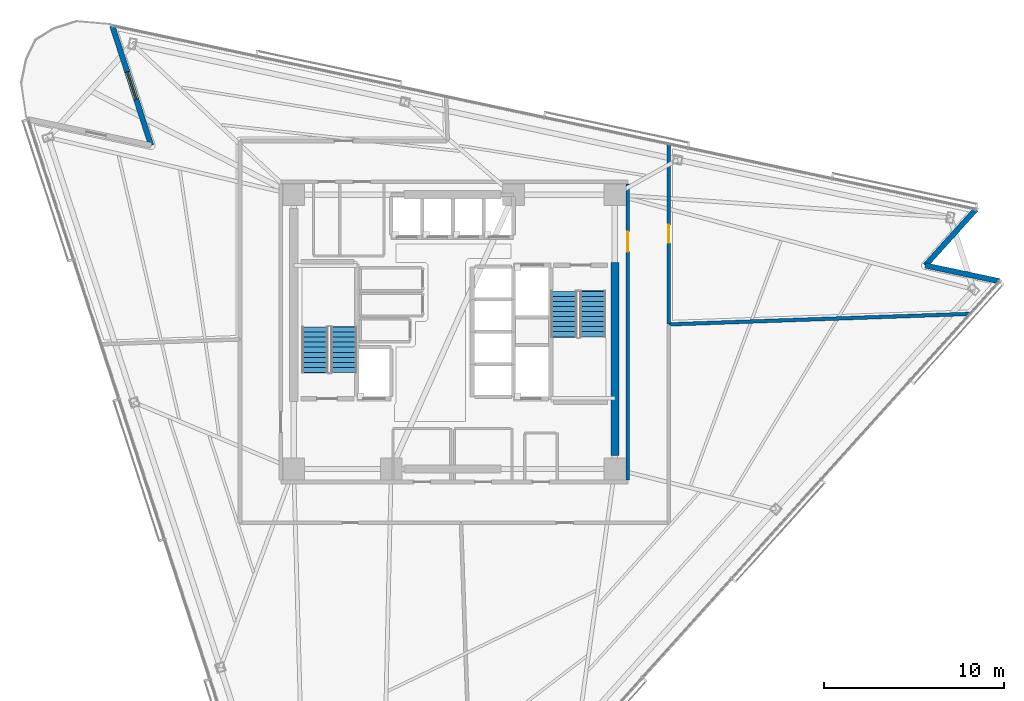
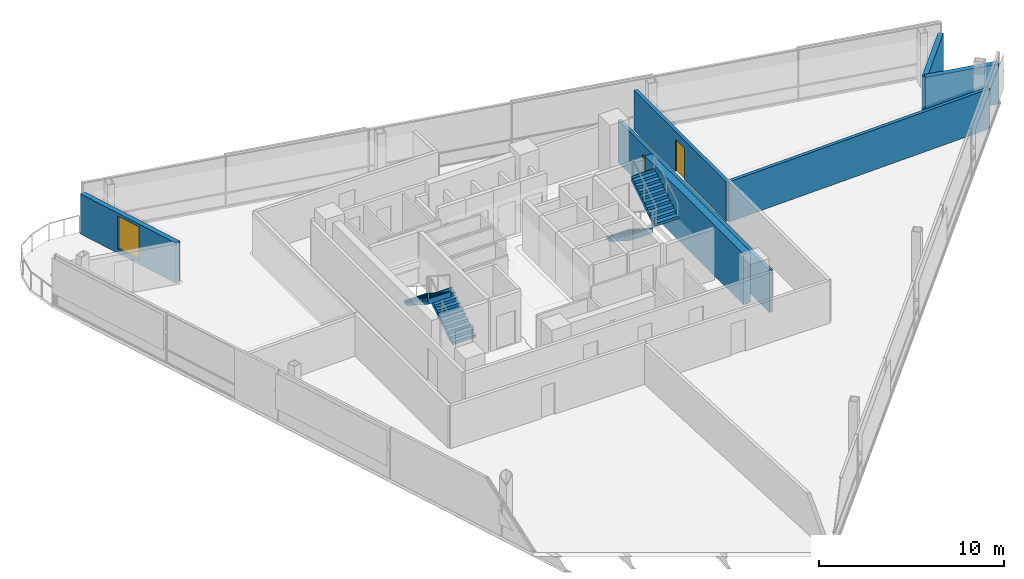
# One storey, part 12 of 17: 7 walls, 4 stair flights, 2 doors, 1 window, 3 openings, 2 elements without a shape of their own.
"""IFC4 building model written with IfcOpenShell, lengths in metres."""

from ifc_helpers import new_model, si_unit, direction, frame, frame_2d, origin, place, context, subcontext, project, spatial, polyline, rectangle, outline, extrude, material, layer, layer_set, type_object, element, fill, aggregate, save


model = new_model("IFC4")

# Units and contexts
model_context = context("Model", 3, precision=1e-05, world=origin(), true_north=direction((0.0, 1.0)))
body_context = subcontext(model_context, "Body", "Model", "MODEL_VIEW")
ifc_project = project(units=[si_unit("LENGTHUNIT", "METRE"), si_unit("AREAUNIT", "SQUARE_METRE"), si_unit("VOLUMEUNIT", "CUBIC_METRE"), si_unit("PLANEANGLEUNIT", "RADIAN"), si_unit("MASSUNIT", "GRAM", prefix="KILO")], contexts=[model_context])

# Site, building, storey
site_placement = place(None, origin())
site = spatial("IfcSite", under=ifc_project, at=site_placement, CompositionType="ELEMENT")
building_placement = place(site_placement, origin())
building = spatial("IfcBuilding", under=site, at=building_placement, Name="Tharavind Bronze Gate", CompositionType="ELEMENT")
storey_placement = place(building_placement, frame((0.0, 0.0, 218.449951171875)))
storey = spatial("IfcBuildingStorey", under=building, at=storey_placement, Name="L56", CompositionType="ELEMENT", Elevation=218.449951171875)

# Wall, opening, window
ifc_material_1 = material(Name="Concrete C40/50", Category="concrete")
ifc_layer_1 = layer(ifc_material_1, 0.300048828125)
ifc_layer_set_1 = layer_set([ifc_layer_1], Name="Concrete C40/50")
wall_type_1 = type_object("IfcWallType", Name="EXTERIOR SPANDREL WALL 300", PredefinedType="STANDARD", material=ifc_layer_set_1)
wall_1_placement = place(storey_placement, frame((-18.959716796875, 16.967529296875, 0.0), z_axis=(0.0, 0.0, 1.0), x_axis=(0.309030708092, -0.951052060329, 0.0)))
wall_1 = element("IfcWall", 1, at=wall_1_placement, inside=storey, type_object=wall_type_1, Name="L56 notch cheek wall 1A", PredefinedType="STANDARD", context=body_context, shape_type="SweptSolid", body=[
    extrude(rectangle(XDim=6.979736328125, YDim=0.300048828125, at=frame_2d((3.48974609375, 0.0))), origin(), (0.0, 0.0, 1.0), 2.655029296875),
])
opening_1_placement = place(wall_1_placement, frame((2.68994140625, 0.0, 0.27490234375)))
opening_1 = element("IfcOpeningElement", 2, at=opening_1_placement, cuts=wall_1, Name="Opening W05", PredefinedType="OPENING", context=body_context, shape_type="SweptSolid", body=[
    extrude(rectangle(XDim=1.60009765625, YDim=2.199951171875, at=frame_2d((0.800048828125, 1.10009765625))), frame((0.0, 0.15990234375, 0.0), z_axis=(0.0, -1.0, 0.0), x_axis=(1.0, 0.0, 0.0)), (0.0, 0.0, 1.0), 0.320048828125),
])
ifc_material_2 = material(Name="Bronze Aluminium & Low-E Glass", Category="aluminium")
window_type = type_object("IfcWindowType", Name="OFFICE NOTCH BRONZE WINDOW 1600X2200", PartitioningType="DOUBLE_PANEL_VERTICAL", PredefinedType="WINDOW", material=ifc_material_2)
window_placement = place(opening_1_placement, origin())
window = element("IfcWindow", 3, at=window_placement, inside=storey, type_object=window_type, Name="L56 exterior window WL-L56-NCA1-01", OverallHeight=2.199951171875, OverallWidth=1.60009765625, PartitioningType="SINGLE_PANEL", PredefinedType="WINDOW", context=body_context, shape_type="SweptSolid", body=[
    extrude(rectangle(XDim=1.60009765625, YDim=2.199951171875, at=frame_2d((0.800048828125, 1.10009765625))), frame((0.0, 0.030029296875, 0.0), z_axis=(0.0, -1.0, 0.0), x_axis=(1.0, 0.0, 0.0)), (0.0, 0.0, 1.0), 0.06005859375),
])
fill(opening_1, window)

# Walls
for number, where, z_axis, x_axis, name in (
    (4, (30.199462890625, 2.810546875, 0.0), (0.0, 0.0, 1.0), (-0.978144033538, 0.207928472445, 0.0), "L56 notch cheek wall 3A"),
    (5, (26.102783203125, 3.681396484375, 0.0), (0.0, 0.0, 1.0), (0.669151507466, 0.743126005504, 0.0), "L56 notch cheek wall 3B"),
):
    element("IfcWall", number, at=place(storey_placement, frame(where, z_axis=z_axis, x_axis=x_axis)), inside=storey, type_object=wall_type_1, Name=name, PredefinedType="STANDARD", context=body_context, shape_type="SweptSolid", body=[
        extrude(rectangle(XDim=4.188232421875, YDim=0.300048828125, at=frame_2d((2.09423828125, 0.0))), origin(), (0.0, 0.0, 1.0), 2.655029296875),
    ])

# Wall, opening, door
ifc_material_3 = material(Name="Aerated Concrete Block", Category="concrete")
ifc_layer_2 = layer(ifc_material_3, 0.199951171875)
ifc_layer_set_2 = layer_set([ifc_layer_2], Name="Aerated Concrete Block")
wall_type_2 = type_object("IfcWallType", Name="FIRE RATED PARTITION 200", PredefinedType="PARTITIONING", material=ifc_layer_set_2)
wall_2_placement = place(storey_placement, frame((9.6201171875, -8.199951171875, 0.0), z_axis=(0.0, 0.0, 1.0), x_axis=(0.0, 1.0, 0.0)))
wall_2 = element("IfcWall", 6, at=wall_2_placement, inside=storey, type_object=wall_type_2, Name="L56 east core corridor wall", PredefinedType="PARTITIONING", context=body_context, shape_type="SweptSolid", body=[
    extrude(rectangle(XDim=16.39990234375, YDim=0.199951171875, at=frame_2d((8.199951171875, 0.0))), origin(), (0.0, 0.0, 1.0), 2.804931640625),
])
opening_2_placement = place(wall_2_placement, frame((12.64990234375, 0.0, 0.0)))
opening_2 = element("IfcOpeningElement", 7, at=opening_2_placement, cuts=wall_2, Name="Opening ID01", PredefinedType="OPENING", context=body_context, shape_type="SweptSolid", body=[
    extrude(rectangle(XDim=1.10009765625, YDim=2.14990234375, at=frame_2d((0.550048828125, 1.074951171875))), frame((0.0, 0.11009765625, 0.0), z_axis=(0.0, -1.0, 0.0), x_axis=(1.0, 0.0, 0.0)), (0.0, 0.0, 1.0), 0.219951171875),
])
ifc_material_4 = material(Name="Fire-Rated Steel", Category="steel")
door_type_1 = type_object("IfcDoorType", Name="STAIR CORE FIRE DOOR 1100X2150", OperationType="SINGLE_SWING_LEFT", PredefinedType="DOOR", material=ifc_material_4)
door_1_placement = place(opening_2_placement, frame((1.10009765625, 0.0, 0.0), z_axis=(0.0, 0.0, 1.0), x_axis=(-1.0, 0.0, 0.0)))
door_1 = element("IfcDoor", 8, at=door_1_placement, inside=storey, type_object=door_type_1, Name="L56 north east stair lobby fire door", OperationType="SINGLE_SWING_LEFT", OverallHeight=2.14990234375, OverallWidth=1.10009765625, PredefinedType="DOOR", context=body_context, shape_type="SweptSolid", body=[
    extrude(rectangle(XDim=1.10009765625, YDim=2.14990234375, at=frame_2d((0.550048828125, 1.074951171875))), frame((0.0, 0.02490234375, 0.0), z_axis=(0.0, -1.0, 0.0), x_axis=(1.0, 0.0, 0.0)), (0.0, 0.0, 1.0), 0.050048828125),
])
fill(opening_2, door_1)

# Wall
wall_3_placement = place(storey_placement, frame((28.556396484375, 0.997314453125, 0.0), z_axis=(0.0, 0.0, 1.0), x_axis=(-0.999390620762, -0.03490540262, 0.0)))
element("IfcWall", 9, at=wall_3_placement, inside=storey, type_object=wall_type_2, Name="L56 Broadcast Editorial Studio partition", PredefinedType="PARTITIONING", context=body_context, shape_type="SweptSolid", body=[
    extrude(rectangle(XDim=16.66064453125, YDim=0.199951171875, at=frame_2d((8.330322265625, 0.0))), origin(), (0.0, 0.0, 1.0), 2.655029296875),
])

# Wall, opening, door
wall_4_placement = place(storey_placement, frame((11.8798828125, 0.440673828125, 0.0), z_axis=(0.0, 0.0, 1.0), x_axis=(0.0, 1.0, 0.0)))
wall_4 = element("IfcWall", 10, at=wall_4_placement, inside=storey, type_object=wall_type_2, Name="L56 Broadcast Editorial Studio partition", PredefinedType="PARTITIONING", context=body_context, shape_type="SweptSolid", body=[
    extrude(rectangle(XDim=9.9716796875, YDim=0.199951171875, at=frame_2d((4.98583984375, 0.0))), origin(), (0.0, 0.0, 1.0), 2.655029296875),
])
opening_3_placement = place(wall_4_placement, frame((4.486083984375, 0.0, 0.0)))
opening_3 = element("IfcOpeningElement", 11, at=opening_3_placement, cuts=wall_4, Name="Opening ID04", PredefinedType="OPENING", context=body_context, shape_type="SweptSolid", body=[
    extrude(rectangle(XDim=1.0, YDim=2.14990234375, at=frame_2d((0.5, 1.074951171875))), frame((0.0, 0.11009765625, 0.0), z_axis=(0.0, -1.0, 0.0), x_axis=(1.0, 0.0, 0.0)), (0.0, 0.0, 1.0), 0.219951171875),
])
ifc_material_5 = material(Name="Bronze Framed Acoustic Timber", Category="wood")
door_type_2 = type_object("IfcDoorType", Name="OFFICE TENANCY DOOR 1000X2150", OperationType="SINGLE_SWING_RIGHT", PredefinedType="DOOR", material=ifc_material_5)
door_2_placement = place(opening_3_placement, origin())
door_2 = element("IfcDoor", 12, at=door_2_placement, inside=storey, type_object=door_type_2, Name="L56 Broadcast Editorial Studio door", OperationType="SINGLE_SWING_RIGHT", OverallHeight=2.14990234375, OverallWidth=1.0, PredefinedType="DOOR", context=body_context, shape_type="SweptSolid", body=[
    extrude(rectangle(XDim=1.0, YDim=2.14990234375, at=frame_2d((0.5, 1.074951171875))), frame((0.0, 0.02490234375, 0.0), z_axis=(0.0, -1.0, 0.0), x_axis=(1.0, 0.0, 0.0)), (0.0, 0.0, 1.0), 0.050048828125),
])
fill(opening_3, door_2)

# Wall
ifc_material_6 = material(Name="Concrete C60/75", Category="concrete")
ifc_layer_3 = layer(ifc_material_6, 0.449951171875)
ifc_layer_set_3 = layer_set([ifc_layer_3], Name="Concrete C60/75")
wall_type_3 = type_object("IfcWallType", Name="RC CORE SHEAR WALL 450", PredefinedType="SHEAR", material=ifc_layer_set_3)
wall_5_placement = place(storey_placement, frame((8.89990234375, -6.85009765625, 0.0), z_axis=(0.0, 0.0, 1.0), x_axis=(0.0, 1.0, 0.0)))
element("IfcWall", 13, at=wall_5_placement, inside=storey, type_object=wall_type_3, Name="L56 east core shear wall", PredefinedType="SHEAR", context=body_context, shape_type="SweptSolid", body=[
    extrude(rectangle(XDim=10.7001953125, YDim=0.449951171875, at=frame_2d((5.35009765625, 0.0))), origin(), (0.0, 0.0, 1.0), 3.360107421875),
])

# Stair, stair flights
stair_type = type_object("IfcStairType", Name="CORE HALF TURN STAIR 1450", PredefinedType="HALF_TURN_STAIR", material=ifc_material_1)
stair_1_placement = place(storey_placement, origin())
stair_1 = element("IfcStair", 14, at=stair_1_placement, inside=storey, type_object=stair_type, Name="L56 Protected Exit Stair ST1", PredefinedType="HALF_TURN_STAIR")
stair_flight_type = type_object("IfcStairFlightType", Name="CORE STAIR FLIGHT 1450", PredefinedType="STRAIGHT", material=ifc_material_1)
stair_flight_1_placement = place(storey_placement, frame((-6.125, -2.25, 0.0), z_axis=(0.0, 0.0, 1.0), x_axis=(0.0, 1.0, 0.0)))
stair_flight_1 = element("IfcStairFlight", 15, at=stair_flight_1_placement, type_object=stair_flight_type, Name="ST1 flight 1", NumberOfRisers=10, NumberOfTreads=9, PredefinedType="STRAIGHT", RiserHeight=0.18, TreadLength=0.28, context=body_context, shape_type="SweptSolid", body=[
    extrude(outline(polyline([(0.0, 0.0), (0.0, 0.179931640625), (0.280029296875, 0.179931640625), (0.280029296875, 0.360107421875), (0.56005859375, 0.360107421875), (0.56005859375, 0.5400390625), (0.840087890625, 0.5400390625), (0.840087890625, 0.719970703125), (1.1201171875, 0.719970703125), (1.1201171875, 0.89990234375), (1.39990234375, 0.89990234375), (1.39990234375, 1.080078125), (1.679931640625, 1.080078125), (1.679931640625, 1.260009765625), (1.9599609375, 1.260009765625), (1.9599609375, 1.43994140625), (2.239990234375, 1.43994140625), (2.239990234375, 1.6201171875), (2.52001953125, 1.6201171875), (2.52001953125, 1.800048828125), (2.555908203125, 1.800048828125), (2.555908203125, 1.44189453125), (0.277099609375, 0.0), (0.0, 0.0)])), frame((0.0, 0.72509765625, 0.0), z_axis=(0.0, -1.0, 0.0), x_axis=(1.0, 0.0, 0.0)), (0.0, 0.0, 1.0), 1.449951171875),
])
stair_flight_2_placement = place(storey_placement, frame((-7.72509765625, 0.27001953125, 1.800048828125), z_axis=(0.0, 0.0, 1.0), x_axis=(0.0, -1.0, 0.0)))
stair_flight_2 = element("IfcStairFlight", 16, at=stair_flight_2_placement, type_object=stair_flight_type, Name="ST1 flight 2", NumberOfRisers=10, NumberOfTreads=9, PredefinedType="STRAIGHT", RiserHeight=0.18, TreadLength=0.28, context=body_context, shape_type="SweptSolid", body=[
    extrude(outline(polyline([(0.0, 0.0), (0.0, 0.179931640625), (0.280029296875, 0.179931640625), (0.280029296875, 0.360107421875), (0.56005859375, 0.360107421875), (0.56005859375, 0.5400390625), (0.840087890625, 0.5400390625), (0.840087890625, 0.719970703125), (1.1201171875, 0.719970703125), (1.1201171875, 0.89990234375), (1.39990234375, 0.89990234375), (1.39990234375, 1.080078125), (1.679931640625, 1.080078125), (1.679931640625, 1.260009765625), (1.9599609375, 1.260009765625), (1.9599609375, 1.43994140625), (2.239990234375, 1.43994140625), (2.239990234375, 1.6201171875), (2.52001953125, 1.6201171875), (2.52001953125, 1.800048828125), (2.555908203125, 1.800048828125), (2.555908203125, 1.44189453125), (0.277099609375, 0.0), (0.0, 0.0)])), frame((0.0, 0.72509765625, 0.0), z_axis=(0.0, -1.0, 0.0), x_axis=(1.0, 0.0, 0.0)), (0.0, 0.0, 1.0), 1.449951171875),
])
aggregate(stair_1, [stair_flight_1, stair_flight_2])

stair_2_placement = place(storey_placement, origin())
stair_2 = element("IfcStair", 17, at=stair_2_placement, inside=storey, type_object=stair_type, Name="L56 Protected Exit Stair ST2", PredefinedType="HALF_TURN_STAIR")
stair_flight_3_placement = place(storey_placement, frame((6.074951171875, 2.25, 0.0), z_axis=(0.0, 0.0, 1.0), x_axis=(0.0, -1.0, 0.0)))
stair_flight_3 = element("IfcStairFlight", 18, at=stair_flight_3_placement, type_object=stair_flight_type, Name="ST2 flight 1", NumberOfRisers=10, NumberOfTreads=9, PredefinedType="STRAIGHT", RiserHeight=0.18, TreadLength=0.28, context=body_context, shape_type="SweptSolid", body=[
    extrude(outline(polyline([(0.0, 0.0), (0.0, 0.179931640625), (0.280029296875, 0.179931640625), (0.280029296875, 0.360107421875), (0.56005859375, 0.360107421875), (0.56005859375, 0.5400390625), (0.840087890625, 0.5400390625), (0.840087890625, 0.719970703125), (1.1201171875, 0.719970703125), (1.1201171875, 0.89990234375), (1.39990234375, 0.89990234375), (1.39990234375, 1.080078125), (1.679931640625, 1.080078125), (1.679931640625, 1.260009765625), (1.9599609375, 1.260009765625), (1.9599609375, 1.43994140625), (2.239990234375, 1.43994140625), (2.239990234375, 1.6201171875), (2.52001953125, 1.6201171875), (2.52001953125, 1.800048828125), (2.555908203125, 1.800048828125), (2.555908203125, 1.44189453125), (0.277099609375, 0.0), (0.0, 0.0)])), frame((0.0, 0.72509765625, 0.0), z_axis=(0.0, -1.0, 0.0), x_axis=(1.0, 0.0, 0.0)), (0.0, 0.0, 1.0), 1.449951171875),
])
stair_flight_4_placement = place(storey_placement, frame((7.675048828125, -0.27001953125, 1.800048828125), z_axis=(0.0, 0.0, 1.0), x_axis=(0.0, 1.0, 0.0)))
stair_flight_4 = element("IfcStairFlight", 19, at=stair_flight_4_placement, type_object=stair_flight_type, Name="ST2 flight 2", NumberOfRisers=10, NumberOfTreads=9, PredefinedType="STRAIGHT", RiserHeight=0.18, TreadLength=0.28, context=body_context, shape_type="SweptSolid", body=[
    extrude(outline(polyline([(0.0, 0.0), (0.0, 0.179931640625), (0.280029296875, 0.179931640625), (0.280029296875, 0.360107421875), (0.56005859375, 0.360107421875), (0.56005859375, 0.5400390625), (0.840087890625, 0.5400390625), (0.840087890625, 0.719970703125), (1.1201171875, 0.719970703125), (1.1201171875, 0.89990234375), (1.39990234375, 0.89990234375), (1.39990234375, 1.080078125), (1.679931640625, 1.080078125), (1.679931640625, 1.260009765625), (1.9599609375, 1.260009765625), (1.9599609375, 1.43994140625), (2.239990234375, 1.43994140625), (2.239990234375, 1.6201171875), (2.52001953125, 1.6201171875), (2.52001953125, 1.800048828125), (2.555908203125, 1.800048828125), (2.555908203125, 1.44189453125), (0.277099609375, 0.0), (0.0, 0.0)])), frame((0.0, 0.72509765625, 0.0), z_axis=(0.0, -1.0, 0.0), x_axis=(1.0, 0.0, 0.0)), (0.0, 0.0, 1.0), 1.449951171875),
])
aggregate(stair_2, [stair_flight_3, stair_flight_4])

save(model, "model.ifc")
